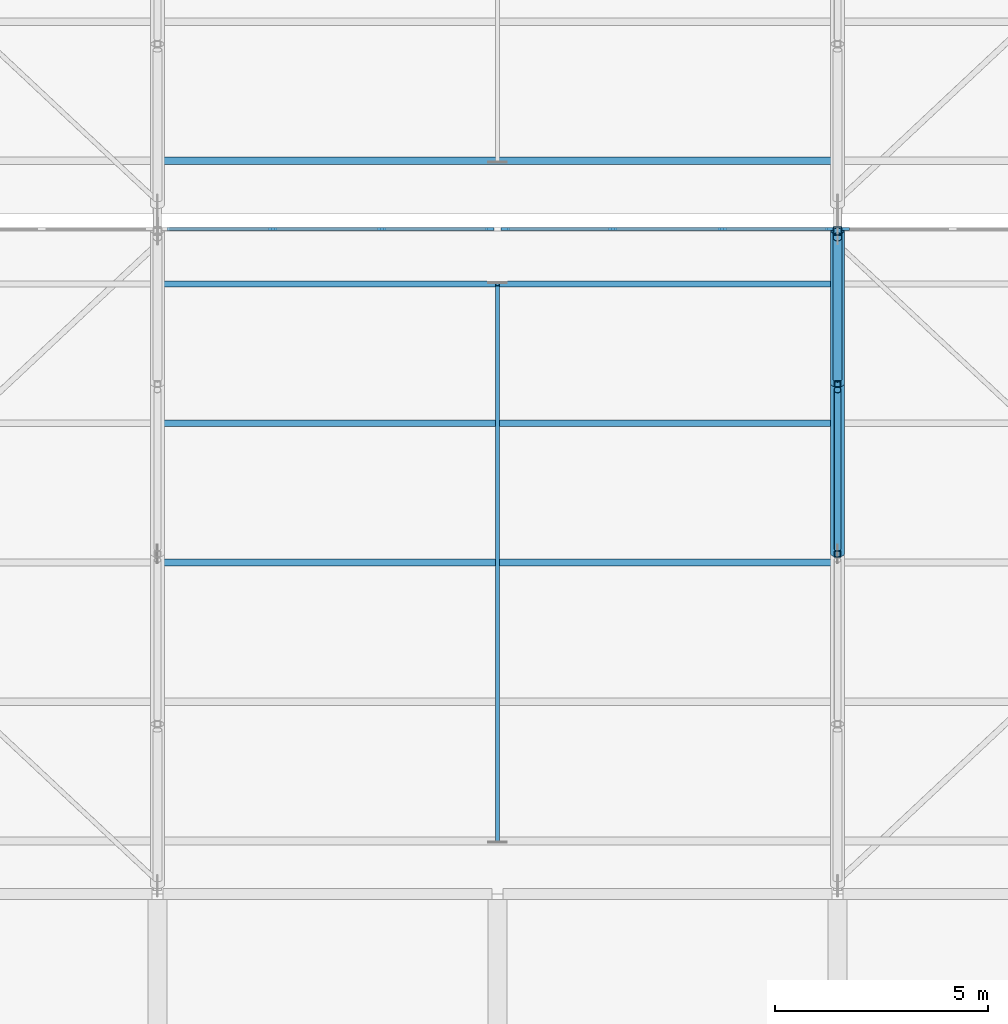
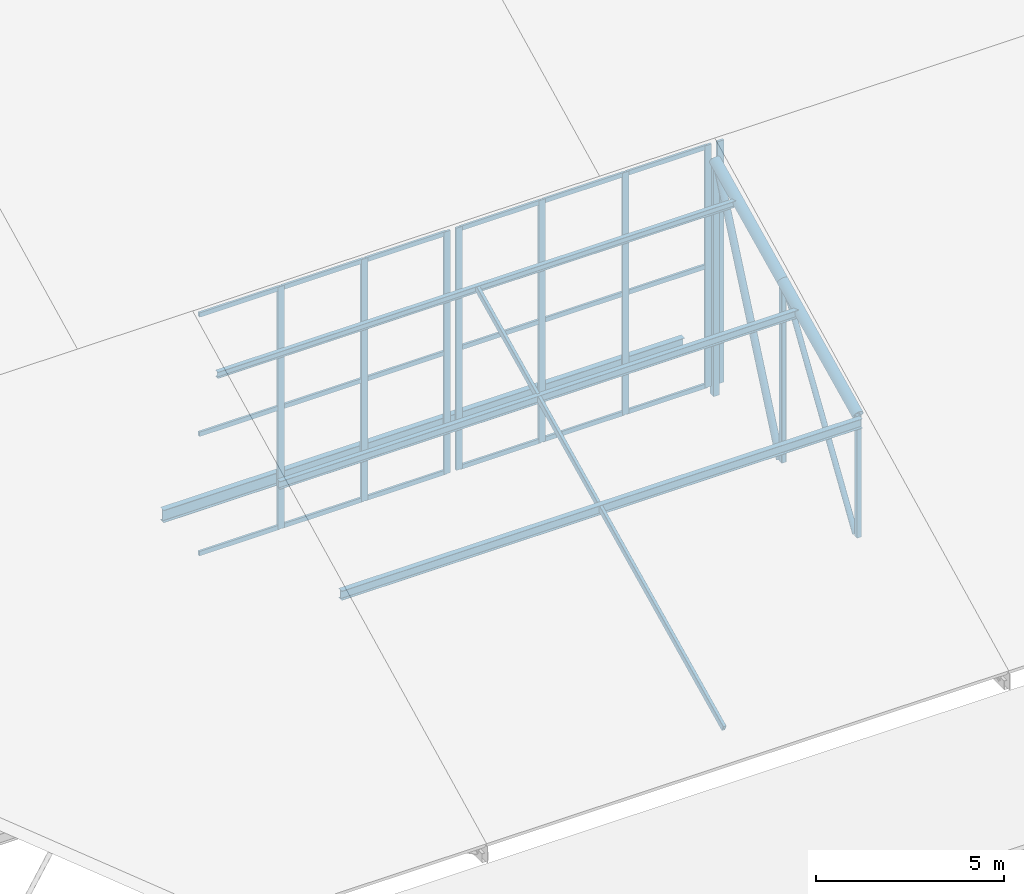
# One storey, part 82 of 137: 34 members, 4 beams, 3 elements without a shape of their own.
"""IFC4 building model written with IfcOpenShell, lengths in metres."""

from ifc_helpers import new_model, si_unit, direction, frame, origin, origin_2d, place, context, subcontext, project, spatial, rectangle, hollow_rectangle, hollow_circle, i_section, extrude, material, layer, layer_set, material_profile, profile_set, type_object, element, aggregate, save


model = new_model("IFC4")

# Units and contexts
model_context = context("Model", 3, precision=1e-05, world=origin(), true_north=direction((0.0, 1.0)))
body_context = subcontext(model_context, "Body", "Model", "MODEL_VIEW")
ifc_project = project(units=[si_unit("LENGTHUNIT", "METRE"), si_unit("AREAUNIT", "SQUARE_METRE"), si_unit("VOLUMEUNIT", "CUBIC_METRE"), si_unit("PLANEANGLEUNIT", "RADIAN"), si_unit("MASSUNIT", "GRAM", prefix="KILO")], contexts=[model_context])

# Site, building, storey
site_placement = place(None, origin())
site = spatial("IfcSite", under=ifc_project, at=site_placement, CompositionType="ELEMENT")
building_placement = place(site_placement, origin())
building = spatial("IfcBuilding", under=site, at=building_placement, Name="Jelvoka-Kovrelna Polytechnic", CompositionType="ELEMENT")
storey_placement = place(building_placement, frame((0.0, 0.0, 9.60009765625)))
storey = spatial("IfcBuildingStorey", under=building, at=storey_placement, Name="L03", CompositionType="ELEMENT", Elevation=9.60009765625)

# Members
ifc_material_1 = material(Name="Structural steel S355J2H", Category="steel")
ifc_material_profile_1 = material_profile(ifc_material_1, hollow_circle(Radius=0.084228515625, WallThickness=0.008056640625, at=origin_2d()), Name="168.3x8.0 CHS")
ifc_profile_set_1 = profile_set([ifc_material_profile_1], Name="Structural steel S355J2H")
member_type_1 = type_object("IfcMemberType", Name="Member_Brace_CHS168", PredefinedType="BRACE", material=ifc_profile_set_1)
member_1_placement = place(storey_placement, frame((184.0, 96.139892578125, 0.14990234375), z_axis=(0.0, 0.5415746521, 0.840652660855), x_axis=(-1.0, 0.0, 0.0)))
element("IfcMember", 1, at=member_1_placement, inside=storey, type_object=member_type_1, Name="Sawtooth truss 7 diagonal web 1.3", PredefinedType="BRACE", context=body_context, shape_type="SweptSolid", body=[
    extrude(hollow_circle(Radius=0.084228515625, WallThickness=0.008056640625, at=origin_2d()), origin(), (0.0, 0.0, 1.0), 6.869140625),
])
ifc_material_2 = material(Name="Structural steel S355J2H", Category="steel")
ifc_material_profile_2 = material_profile(ifc_material_2, hollow_circle(Radius=0.109619140625, WallThickness=0.008056640625, at=origin_2d()), Name="219.1x8.0 CHS")
ifc_profile_set_2 = profile_set([ifc_material_profile_2], Name="Structural steel S355J2H")
member_type_2 = type_object("IfcMemberType", Name="Member_Brace_CHS219", PredefinedType="BRACE", material=ifc_profile_set_2)
member_2_placement = place(storey_placement, frame((184.0, 100.139892578125, 0.14990234375), z_axis=(0.0, 0.404336237521, 0.914610412705), x_axis=(-1.0, 0.0, 0.0)))
element("IfcMember", 2, at=member_2_placement, inside=storey, type_object=member_type_2, Name="Sawtooth truss 7 diagonal web 1.4", PredefinedType="BRACE", context=body_context, shape_type="SweptSolid", body=[
    extrude(hollow_circle(Radius=0.109619140625, WallThickness=0.008056640625, at=origin_2d()), origin(), (0.0, 0.0, 1.0), 8.211181640625),
])
ifc_material_3 = material(Name="Structural steel S355J2H", Category="steel")
ifc_material_profile_3 = material_profile(ifc_material_3, hollow_circle(Radius=0.161865234375, WallThickness=0.010009765625, at=origin_2d()), Name="323.9x10.0 CHS")
ifc_profile_set_3 = profile_set([ifc_material_profile_3], Name="Structural steel S355J2H")
member_type_3 = type_object("IfcMemberType", Name="Member_Chord_CHS324", PredefinedType="CHORD", material=ifc_profile_set_3)
member_3_placement = place(storey_placement, frame((184.0, 96.0, 4.076416015625), z_axis=(0.0, 0.900820911068, 0.434190840741), x_axis=(-1.0, 0.0, 0.0)))
element("IfcMember", 3, at=member_3_placement, inside=storey, type_object=member_type_3, Name="Sawtooth truss 7 top chord 1.3", PredefinedType="CHORD", context=body_context, shape_type="SweptSolid", body=[
    extrude(hollow_circle(Radius=0.161865234375, WallThickness=0.010009765625, at=origin_2d()), origin(), (0.0, 0.0, 1.0), 4.4404296875),
])
member_4_placement = place(storey_placement, frame((184.0, 100.0, 6.00439453125), z_axis=(0.0, 0.900784896778, 0.434265552095), x_axis=(-1.0, 0.0, 0.0)))
element("IfcMember", 4, at=member_4_placement, inside=storey, type_object=member_type_3, Name="Sawtooth truss 7 top chord 1.4", PredefinedType="CHORD", context=body_context, shape_type="SweptSolid", body=[
    extrude(hollow_circle(Radius=0.161865234375, WallThickness=0.010009765625, at=origin_2d()), origin(), (0.0, 0.0, 1.0), 3.99658203125),
])
ifc_material_4 = material(Name="Structural steel S355J2H", Category="steel")
ifc_material_profile_4 = material_profile(ifc_material_4, hollow_rectangle(XDim=0.14990234375, YDim=0.14990234375, WallThickness=0.008056640625, InnerFilletRadius=0.008056640625, OuterFilletRadius=0.011962890625, at=origin_2d()), Name="150x150x8.0 SHS")
ifc_profile_set_4 = profile_set([ifc_material_profile_4], Name="Structural steel S355J2H")
member_type_4 = type_object("IfcMemberType", Name="Member_Post_SHS150", PredefinedType="POST", material=ifc_profile_set_4)
member_5_placement = place(storey_placement, frame((184.0, 96.0, 0.14990234375), z_axis=(0.0, 0.0, 1.0), x_axis=(1.0, 0.0, 0.0)))
element("IfcMember", 5, at=member_5_placement, inside=storey, type_object=member_type_4, Name="Sawtooth truss 7 web post 1.3", PredefinedType="POST", context=body_context, shape_type="SweptSolid", body=[
    extrude(hollow_rectangle(XDim=0.14990234375, YDim=0.14990234375, WallThickness=0.008056640625, InnerFilletRadius=0.008056640625, OuterFilletRadius=0.011962890625, at=origin_2d()), origin(), (0.0, 0.0, 1.0), 3.926513671875),
])
member_6_placement = place(storey_placement, frame((184.0, 100.0, 0.14990234375), z_axis=(0.0, 0.0, 1.0), x_axis=(1.0, 0.0, 0.0)))
element("IfcMember", 6, at=member_6_placement, inside=storey, type_object=member_type_4, Name="Sawtooth truss 7 web post 1.4", PredefinedType="POST", context=body_context, shape_type="SweptSolid", body=[
    extrude(hollow_rectangle(XDim=0.14990234375, YDim=0.14990234375, WallThickness=0.008056640625, InnerFilletRadius=0.008056640625, OuterFilletRadius=0.011962890625, at=origin_2d()), origin(), (0.0, 0.0, 1.0), 5.8544921875),
])
ifc_material_5 = material(Name="Structural steel S355J2H", Category="steel")
ifc_material_profile_5 = material_profile(ifc_material_5, hollow_rectangle(XDim=0.199951171875, YDim=0.199951171875, WallThickness=0.010009765625, InnerFilletRadius=0.010009765625, OuterFilletRadius=0.014892578125, at=origin_2d()), Name="200x200x10.0 SHS")
ifc_profile_set_5 = profile_set([ifc_material_profile_5], Name="Structural steel S355J2H")
member_type_5 = type_object("IfcMemberType", Name="Member_Post_SHS200", PredefinedType="POST", material=ifc_profile_set_5)
member_7_placement = place(storey_placement, frame((184.0, 103.60009765625, 0.14990234375), z_axis=(0.0, 0.0, 1.0), x_axis=(1.0, 0.0, 0.0)))
element("IfcMember", 7, at=member_7_placement, inside=storey, type_object=member_type_5, Name="Sawtooth truss 7 web post 1.5", PredefinedType="POST", context=body_context, shape_type="SweptSolid", body=[
    extrude(hollow_rectangle(XDim=0.199951171875, YDim=0.199951171875, WallThickness=0.010009765625, InnerFilletRadius=0.010009765625, OuterFilletRadius=0.014892578125, at=origin_2d()), origin(), (0.0, 0.0, 1.0), 7.590087890625),
])
ifc_material_6 = material(Name="Structural steel S355J2H", Category="steel")
ifc_material_profile_6 = material_profile(ifc_material_6, hollow_rectangle(XDim=0.10009765625, YDim=0.199951171875, WallThickness=0.008056640625, InnerFilletRadius=0.008056640625, OuterFilletRadius=0.011962890625, at=origin_2d()), Name="200x100x8.0 RHS")
ifc_profile_set_6 = profile_set([ifc_material_profile_6], Name="Structural steel S355J2H")
member_type_6 = type_object("IfcMemberType", Name="Member_Rafter_RHS200", PredefinedType="RAFTER", material=ifc_profile_set_6)
member_8_placement = place(storey_placement, frame((176.0, 89.248046875, 0.821533203125), z_axis=(0.0, 0.900805023058, 0.434223802243), x_axis=(-1.0, 0.0, 0.0)))
element("IfcMember", 8, at=member_8_placement, inside=storey, type_object=member_type_6, Name="Sawtooth mid-bay secondary rafter 6.1", PredefinedType="RAFTER", context=body_context, shape_type="SweptSolid", body=[
    extrude(hollow_rectangle(XDim=0.10009765625, YDim=0.199951171875, WallThickness=0.008056640625, InnerFilletRadius=0.008056640625, OuterFilletRadius=0.011962890625, at=origin_2d()), origin(), (0.0, 0.0, 1.0), 14.546875),
])

# Curtain wall, members
ifc_material_7 = material(Name="Anodised aluminium 6063-T6", Category="aluminium")
ifc_layer = layer(ifc_material_7, 0.199951171875)
ifc_layer_set = layer_set([ifc_layer], Name="Anodised aluminium 6063-T6")
curtain_wall_type = type_object("IfcCurtainWallType", Name="CW_Clerestory", PredefinedType="NOTDEFINED", material=ifc_layer_set)
curtain_wall_1_placement = place(storey_placement, origin())
curtain_wall_1 = element("IfcCurtainWall", 9, at=curtain_wall_1_placement, inside=storey, type_object=curtain_wall_type, Name="L03 glazed curtain wall 203", PredefinedType="NOTDEFINED")
ifc_material_8 = material(Name="Anodised aluminium 6063-T6", Category="aluminium")
ifc_material_profile_7 = material_profile(ifc_material_8, rectangle(XDim=0.070068359375, YDim=0.199951171875, at=origin_2d()), Name="ALU 70x200")
ifc_profile_set_7 = profile_set([ifc_material_profile_7], Name="Anodised aluminium 6063-T6")
member_type_7 = type_object("IfcMemberType", Name="Mullion_M-03", PredefinedType="MULLION", material=ifc_profile_set_7)
member_9_placement = place(storey_placement, frame((170.716552734375, 103.64990234375, 0.425048828125), z_axis=(0.0, 0.0, 1.0), x_axis=(0.0, 1.0, 0.0)))
member_9 = element("IfcMember", 10, at=member_9_placement, type_object=member_type_7, Name="CW-03 mullion 2", PredefinedType="MULLION", context=body_context, shape_type="SweptSolid", body=[
    extrude(rectangle(XDim=0.070068359375, YDim=0.199951171875, at=origin_2d()), origin(), (0.0, 0.0, 1.0), 7.85009765625),
])
member_10_placement = place(storey_placement, frame((173.283447265625, 103.64990234375, 0.425048828125), z_axis=(0.0, 0.0, 1.0), x_axis=(0.0, 1.0, 0.0)))
member_10 = element("IfcMember", 11, at=member_10_placement, type_object=member_type_7, Name="CW-03 mullion 3", PredefinedType="MULLION", context=body_context, shape_type="SweptSolid", body=[
    extrude(rectangle(XDim=0.070068359375, YDim=0.199951171875, at=origin_2d()), origin(), (0.0, 0.0, 1.0), 7.85009765625),
])
member_11_placement = place(storey_placement, frame((175.81494140625, 103.64990234375, 0.425048828125), z_axis=(0.0, 0.0, 1.0), x_axis=(0.0, 1.0, 0.0)))
member_11 = element("IfcMember", 12, at=member_11_placement, type_object=member_type_7, Name="CW-03 mullion 4", PredefinedType="MULLION", context=body_context, shape_type="SweptSolid", body=[
    extrude(rectangle(XDim=0.070068359375, YDim=0.199951171875, at=origin_2d()), origin(), (0.0, 0.0, 1.0), 7.85009765625),
])

curtain_wall_2_placement = place(storey_placement, origin())
curtain_wall_2 = element("IfcCurtainWall", 13, at=curtain_wall_2_placement, inside=storey, type_object=curtain_wall_type, Name="L03 glazed curtain wall 205", PredefinedType="NOTDEFINED")
member_12_placement = place(storey_placement, frame((176.18505859375, 103.64990234375, 0.425048828125), z_axis=(0.0, 0.0, 1.0), x_axis=(0.0, 1.0, 0.0)))
member_12 = element("IfcMember", 14, at=member_12_placement, type_object=member_type_7, Name="CW-03 mullion 1", PredefinedType="MULLION", context=body_context, shape_type="SweptSolid", body=[
    extrude(rectangle(XDim=0.070068359375, YDim=0.199951171875, at=origin_2d()), origin(), (0.0, 0.0, 1.0), 7.85009765625),
])
member_13_placement = place(storey_placement, frame((178.716552734375, 103.64990234375, 0.425048828125), z_axis=(0.0, 0.0, 1.0), x_axis=(0.0, 1.0, 0.0)))
member_13 = element("IfcMember", 15, at=member_13_placement, type_object=member_type_7, Name="CW-03 mullion 2", PredefinedType="MULLION", context=body_context, shape_type="SweptSolid", body=[
    extrude(rectangle(XDim=0.070068359375, YDim=0.199951171875, at=origin_2d()), origin(), (0.0, 0.0, 1.0), 7.85009765625),
])
member_14_placement = place(storey_placement, frame((181.283447265625, 103.64990234375, 0.425048828125), z_axis=(0.0, 0.0, 1.0), x_axis=(0.0, 1.0, 0.0)))
member_14 = element("IfcMember", 16, at=member_14_placement, type_object=member_type_7, Name="CW-03 mullion 3", PredefinedType="MULLION", context=body_context, shape_type="SweptSolid", body=[
    extrude(rectangle(XDim=0.070068359375, YDim=0.199951171875, at=origin_2d()), origin(), (0.0, 0.0, 1.0), 7.85009765625),
])
member_15_placement = place(storey_placement, frame((183.81494140625, 103.64990234375, 0.425048828125), z_axis=(0.0, 0.0, 1.0), x_axis=(0.0, 1.0, 0.0)))
member_15 = element("IfcMember", 17, at=member_15_placement, type_object=member_type_7, Name="CW-03 mullion 4", PredefinedType="MULLION", context=body_context, shape_type="SweptSolid", body=[
    extrude(rectangle(XDim=0.070068359375, YDim=0.199951171875, at=origin_2d()), origin(), (0.0, 0.0, 1.0), 7.85009765625),
])

# Curtain wall, member
curtain_wall_3_placement = place(storey_placement, origin())
curtain_wall_3 = element("IfcCurtainWall", 18, at=curtain_wall_3_placement, inside=storey, type_object=curtain_wall_type, Name="L03 glazed curtain wall 207", PredefinedType="NOTDEFINED")
member_16_placement = place(storey_placement, frame((184.18505859375, 103.64990234375, 0.425048828125), z_axis=(0.0, 0.0, 1.0), x_axis=(0.0, 1.0, 0.0)))
member_16 = element("IfcMember", 19, at=member_16_placement, type_object=member_type_7, Name="CW-03 mullion 1", PredefinedType="MULLION", context=body_context, shape_type="SweptSolid", body=[
    extrude(rectangle(XDim=0.070068359375, YDim=0.199951171875, at=origin_2d()), origin(), (0.0, 0.0, 1.0), 7.85009765625),
])
aggregate(curtain_wall_3, [member_16])

# Beams
ifc_material_9 = material(Name="Structural steel S355JR", Category="steel")
ifc_material_profile_8 = material_profile(ifc_material_9, i_section(OverallWidth=0.13330078125, OverallDepth=0.203125, WebThickness=0.005615234375, FlangeThickness=0.0078125, FilletRadius=0.007568359375, at=origin_2d()), Name="203x133x25 UB")
ifc_profile_set_8 = profile_set([ifc_material_profile_8], Name="Structural steel S355JR")
beam_type_1 = type_object("IfcBeamType", Name="Purlin_Steel_UB203", PredefinedType="JOIST", material=ifc_profile_set_8)
beam_1_placement = place(storey_placement, frame((168.02001953125, 102.35205078125, 7.13818359375), z_axis=(1.0, 0.0, 0.0), x_axis=(0.0, 1.0, 0.0)))
element("IfcBeam", 20, at=beam_1_placement, inside=storey, type_object=beam_type_1, Name="Sawtooth roof purlin 055", PredefinedType="JOIST", context=body_context, shape_type="SweptSolid", body=[
    extrude(i_section(OverallWidth=0.13330078125, OverallDepth=0.203125, WebThickness=0.005615234375, FlangeThickness=0.0078125, FilletRadius=0.007568359375, at=origin_2d()), origin(), (0.0, 0.0, 1.0), 15.9599609375),
])
ifc_material_10 = material(Name="Structural steel S355JR", Category="steel")
ifc_material_profile_9 = material_profile(ifc_material_10, i_section(OverallWidth=0.14599609375, OverallDepth=0.25146484375, WebThickness=0.006103515625, FlangeThickness=0.008544921875, FilletRadius=0.007568359375, at=origin_2d()), Name="254x146x31 UB")
ifc_profile_set_9 = profile_set([ifc_material_profile_9], Name="Structural steel S355JR")
beam_type_2 = type_object("IfcBeamType", Name="Purlin_Steel_UB254", PredefinedType="JOIST", material=ifc_profile_set_9)
beam_2_placement = place(storey_placement, frame((168.02001953125, 99.075927734375, 5.55908203125), z_axis=(1.0, 0.0, 0.0), x_axis=(0.0, 1.0, 0.0)))
element("IfcBeam", 21, at=beam_2_placement, inside=storey, type_object=beam_type_2, Name="Sawtooth roof purlin 054", PredefinedType="JOIST", context=body_context, shape_type="SweptSolid", body=[
    extrude(i_section(OverallWidth=0.14599609375, OverallDepth=0.25146484375, WebThickness=0.006103515625, FlangeThickness=0.008544921875, FilletRadius=0.007568359375, at=origin_2d()), origin(), (0.0, 0.0, 1.0), 15.9599609375),
])
ifc_material_11 = material(Name="Structural steel S355JR", Category="steel")
ifc_material_profile_10 = material_profile(ifc_material_11, i_section(OverallWidth=0.1650390625, OverallDepth=0.303466796875, WebThickness=0.006103515625, FlangeThickness=0.01025390625, FilletRadius=0.0087890625, at=origin_2d()), Name="305x165x40 UB")
ifc_profile_set_10 = profile_set([ifc_material_profile_10], Name="Structural steel S355JR")
beam_type_3 = type_object("IfcBeamType", Name="Purlin_Steel_UB305", PredefinedType="JOIST", material=ifc_profile_set_10)
beam_3_placement = place(storey_placement, frame((168.02001953125, 95.800048828125, 3.97998046875), z_axis=(1.0, 0.0, 0.0), x_axis=(0.0, 1.0, 0.0)))
element("IfcBeam", 22, at=beam_3_placement, inside=storey, type_object=beam_type_3, Name="Sawtooth roof purlin 053", PredefinedType="JOIST", context=body_context, shape_type="SweptSolid", body=[
    extrude(i_section(OverallWidth=0.1650390625, OverallDepth=0.303466796875, WebThickness=0.006103515625, FlangeThickness=0.01025390625, FilletRadius=0.0087890625, at=origin_2d()), origin(), (0.0, 0.0, 1.0), 15.9599609375),
])
ifc_material_12 = material(Name="Structural steel S355JR", Category="steel")
ifc_material_profile_11 = material_profile(ifc_material_12, i_section(OverallWidth=0.177978515625, OverallDepth=0.406494140625, WebThickness=0.0078125, FlangeThickness=0.0126953125, FilletRadius=0.01025390625, at=origin_2d()), Name="406x178x60 UB")
ifc_profile_set_11 = profile_set([ifc_material_profile_11], Name="Structural steel S355JR")
beam_type_4 = type_object("IfcBeamType", Name="Purlin_Steel_UB406", PredefinedType="JOIST", material=ifc_profile_set_11)
beam_4_placement = place(storey_placement, frame((168.02001953125, 105.248046875, 0.821533203125), z_axis=(1.0, 0.0, 0.0), x_axis=(0.0, 1.0, 0.0)))
element("IfcBeam", 23, at=beam_4_placement, inside=storey, type_object=beam_type_4, Name="Sawtooth roof purlin 056", PredefinedType="JOIST", context=body_context, shape_type="SweptSolid", body=[
    extrude(i_section(OverallWidth=0.177978515625, OverallDepth=0.406494140625, WebThickness=0.0078125, FlangeThickness=0.0126953125, FilletRadius=0.01025390625, at=origin_2d()), origin(), (0.0, 0.0, 1.0), 15.9599609375),
])

# Member
ifc_material_13 = material(Name="Anodised aluminium 6063-T6", Category="aluminium")
ifc_material_profile_12 = material_profile(ifc_material_13, rectangle(XDim=0.070068359375, YDim=0.14501953125, at=origin_2d()), Name="ALU 70x145")
ifc_profile_set_12 = profile_set([ifc_material_profile_12], Name="Anodised aluminium 6063-T6")
member_type_8 = type_object("IfcMemberType", Name="Transom_T-03", PredefinedType="USERDEFINED", material=ifc_profile_set_12)
member_17_placement = place(storey_placement, frame((168.219970703125, 103.64990234375, 0.48486328125), z_axis=(1.0, 0.0, 0.0), x_axis=(0.0, 1.0, 0.0)))
member_17 = element("IfcMember", 24, at=member_17_placement, type_object=member_type_8, Name="CW-03 transom 1.1", ObjectType="TRANSOM", PredefinedType="USERDEFINED", context=body_context, shape_type="SweptSolid", body=[
    extrude(rectangle(XDim=0.070068359375, YDim=0.14501953125, at=origin_2d()), origin(), (0.0, 0.0, 1.0), 2.461669921875),
])

member_18_placement = place(storey_placement, frame((168.219970703125, 103.64990234375, 4.349853515625), z_axis=(1.0, 0.0, 0.0), x_axis=(0.0, 1.0, 0.0)))
member_18 = element("IfcMember", 25, at=member_18_placement, type_object=member_type_8, Name="CW-03 transom 1.2", ObjectType="TRANSOM", PredefinedType="USERDEFINED", context=body_context, shape_type="SweptSolid", body=[
    extrude(rectangle(XDim=0.070068359375, YDim=0.14501953125, at=origin_2d()), origin(), (0.0, 0.0, 1.0), 2.461669921875),
])

member_19_placement = place(storey_placement, frame((168.219970703125, 103.64990234375, 8.21484375), z_axis=(1.0, 0.0, 0.0), x_axis=(0.0, 1.0, 0.0)))
member_19 = element("IfcMember", 26, at=member_19_placement, type_object=member_type_8, Name="CW-03 transom 1.3", ObjectType="TRANSOM", PredefinedType="USERDEFINED", context=body_context, shape_type="SweptSolid", body=[
    extrude(rectangle(XDim=0.070068359375, YDim=0.14501953125, at=origin_2d()), origin(), (0.0, 0.0, 1.0), 2.461669921875),
])

member_20_placement = place(storey_placement, frame((170.751708984375, 103.64990234375, 0.48486328125), z_axis=(1.0, 0.0, 0.0), x_axis=(0.0, 1.0, 0.0)))
member_20 = element("IfcMember", 27, at=member_20_placement, type_object=member_type_8, Name="CW-03 transom 2.1", ObjectType="TRANSOM", PredefinedType="USERDEFINED", context=body_context, shape_type="SweptSolid", body=[
    extrude(rectangle(XDim=0.070068359375, YDim=0.14501953125, at=origin_2d()), origin(), (0.0, 0.0, 1.0), 2.49658203125),
])

member_21_placement = place(storey_placement, frame((170.751708984375, 103.64990234375, 4.349853515625), z_axis=(1.0, 0.0, 0.0), x_axis=(0.0, 1.0, 0.0)))
member_21 = element("IfcMember", 28, at=member_21_placement, type_object=member_type_8, Name="CW-03 transom 2.2", ObjectType="TRANSOM", PredefinedType="USERDEFINED", context=body_context, shape_type="SweptSolid", body=[
    extrude(rectangle(XDim=0.070068359375, YDim=0.14501953125, at=origin_2d()), origin(), (0.0, 0.0, 1.0), 2.49658203125),
])

member_22_placement = place(storey_placement, frame((170.751708984375, 103.64990234375, 8.21484375), z_axis=(1.0, 0.0, 0.0), x_axis=(0.0, 1.0, 0.0)))
member_22 = element("IfcMember", 29, at=member_22_placement, type_object=member_type_8, Name="CW-03 transom 2.3", ObjectType="TRANSOM", PredefinedType="USERDEFINED", context=body_context, shape_type="SweptSolid", body=[
    extrude(rectangle(XDim=0.070068359375, YDim=0.14501953125, at=origin_2d()), origin(), (0.0, 0.0, 1.0), 2.49658203125),
])

member_23_placement = place(storey_placement, frame((173.318359375, 103.64990234375, 0.48486328125), z_axis=(1.0, 0.0, 0.0), x_axis=(0.0, 1.0, 0.0)))
member_23 = element("IfcMember", 30, at=member_23_placement, type_object=member_type_8, Name="CW-03 transom 3.1", ObjectType="TRANSOM", PredefinedType="USERDEFINED", context=body_context, shape_type="SweptSolid", body=[
    extrude(rectangle(XDim=0.070068359375, YDim=0.14501953125, at=origin_2d()), origin(), (0.0, 0.0, 1.0), 2.461669921875),
])

member_24_placement = place(storey_placement, frame((173.318359375, 103.64990234375, 4.349853515625), z_axis=(1.0, 0.0, 0.0), x_axis=(0.0, 1.0, 0.0)))
member_24 = element("IfcMember", 31, at=member_24_placement, type_object=member_type_8, Name="CW-03 transom 3.2", ObjectType="TRANSOM", PredefinedType="USERDEFINED", context=body_context, shape_type="SweptSolid", body=[
    extrude(rectangle(XDim=0.070068359375, YDim=0.14501953125, at=origin_2d()), origin(), (0.0, 0.0, 1.0), 2.461669921875),
])

member_25_placement = place(storey_placement, frame((173.318359375, 103.64990234375, 8.21484375), z_axis=(1.0, 0.0, 0.0), x_axis=(0.0, 1.0, 0.0)))
member_25 = element("IfcMember", 32, at=member_25_placement, type_object=member_type_8, Name="CW-03 transom 3.3", ObjectType="TRANSOM", PredefinedType="USERDEFINED", context=body_context, shape_type="SweptSolid", body=[
    extrude(rectangle(XDim=0.070068359375, YDim=0.14501953125, at=origin_2d()), origin(), (0.0, 0.0, 1.0), 2.461669921875),
])

aggregate(curtain_wall_1, [member_9, member_10, member_11, member_17, member_18, member_19, member_20, member_21, member_22, member_23, member_24, member_25])

member_26_placement = place(storey_placement, frame((176.219970703125, 103.64990234375, 0.48486328125), z_axis=(1.0, 0.0, 0.0), x_axis=(0.0, 1.0, 0.0)))
member_26 = element("IfcMember", 33, at=member_26_placement, type_object=member_type_8, Name="CW-03 transom 1.1", ObjectType="TRANSOM", PredefinedType="USERDEFINED", context=body_context, shape_type="SweptSolid", body=[
    extrude(rectangle(XDim=0.070068359375, YDim=0.14501953125, at=origin_2d()), origin(), (0.0, 0.0, 1.0), 2.461669921875),
])

member_27_placement = place(storey_placement, frame((176.219970703125, 103.64990234375, 4.349853515625), z_axis=(1.0, 0.0, 0.0), x_axis=(0.0, 1.0, 0.0)))
member_27 = element("IfcMember", 34, at=member_27_placement, type_object=member_type_8, Name="CW-03 transom 1.2", ObjectType="TRANSOM", PredefinedType="USERDEFINED", context=body_context, shape_type="SweptSolid", body=[
    extrude(rectangle(XDim=0.070068359375, YDim=0.14501953125, at=origin_2d()), origin(), (0.0, 0.0, 1.0), 2.461669921875),
])

member_28_placement = place(storey_placement, frame((176.219970703125, 103.64990234375, 8.21484375), z_axis=(1.0, 0.0, 0.0), x_axis=(0.0, 1.0, 0.0)))
member_28 = element("IfcMember", 35, at=member_28_placement, type_object=member_type_8, Name="CW-03 transom 1.3", ObjectType="TRANSOM", PredefinedType="USERDEFINED", context=body_context, shape_type="SweptSolid", body=[
    extrude(rectangle(XDim=0.070068359375, YDim=0.14501953125, at=origin_2d()), origin(), (0.0, 0.0, 1.0), 2.461669921875),
])

member_29_placement = place(storey_placement, frame((178.751708984375, 103.64990234375, 0.48486328125), z_axis=(1.0, 0.0, 0.0), x_axis=(0.0, 1.0, 0.0)))
member_29 = element("IfcMember", 36, at=member_29_placement, type_object=member_type_8, Name="CW-03 transom 2.1", ObjectType="TRANSOM", PredefinedType="USERDEFINED", context=body_context, shape_type="SweptSolid", body=[
    extrude(rectangle(XDim=0.070068359375, YDim=0.14501953125, at=origin_2d()), origin(), (0.0, 0.0, 1.0), 2.49658203125),
])

member_30_placement = place(storey_placement, frame((178.751708984375, 103.64990234375, 4.349853515625), z_axis=(1.0, 0.0, 0.0), x_axis=(0.0, 1.0, 0.0)))
member_30 = element("IfcMember", 37, at=member_30_placement, type_object=member_type_8, Name="CW-03 transom 2.2", ObjectType="TRANSOM", PredefinedType="USERDEFINED", context=body_context, shape_type="SweptSolid", body=[
    extrude(rectangle(XDim=0.070068359375, YDim=0.14501953125, at=origin_2d()), origin(), (0.0, 0.0, 1.0), 2.49658203125),
])

member_31_placement = place(storey_placement, frame((178.751708984375, 103.64990234375, 8.21484375), z_axis=(1.0, 0.0, 0.0), x_axis=(0.0, 1.0, 0.0)))
member_31 = element("IfcMember", 38, at=member_31_placement, type_object=member_type_8, Name="CW-03 transom 2.3", ObjectType="TRANSOM", PredefinedType="USERDEFINED", context=body_context, shape_type="SweptSolid", body=[
    extrude(rectangle(XDim=0.070068359375, YDim=0.14501953125, at=origin_2d()), origin(), (0.0, 0.0, 1.0), 2.49658203125),
])

member_32_placement = place(storey_placement, frame((181.318359375, 103.64990234375, 0.48486328125), z_axis=(1.0, 0.0, 0.0), x_axis=(0.0, 1.0, 0.0)))
member_32 = element("IfcMember", 39, at=member_32_placement, type_object=member_type_8, Name="CW-03 transom 3.1", ObjectType="TRANSOM", PredefinedType="USERDEFINED", context=body_context, shape_type="SweptSolid", body=[
    extrude(rectangle(XDim=0.070068359375, YDim=0.14501953125, at=origin_2d()), origin(), (0.0, 0.0, 1.0), 2.461669921875),
])

member_33_placement = place(storey_placement, frame((181.318359375, 103.64990234375, 4.349853515625), z_axis=(1.0, 0.0, 0.0), x_axis=(0.0, 1.0, 0.0)))
member_33 = element("IfcMember", 40, at=member_33_placement, type_object=member_type_8, Name="CW-03 transom 3.2", ObjectType="TRANSOM", PredefinedType="USERDEFINED", context=body_context, shape_type="SweptSolid", body=[
    extrude(rectangle(XDim=0.070068359375, YDim=0.14501953125, at=origin_2d()), origin(), (0.0, 0.0, 1.0), 2.461669921875),
])

member_34_placement = place(storey_placement, frame((181.318359375, 103.64990234375, 8.21484375), z_axis=(1.0, 0.0, 0.0), x_axis=(0.0, 1.0, 0.0)))
member_34 = element("IfcMember", 41, at=member_34_placement, type_object=member_type_8, Name="CW-03 transom 3.3", ObjectType="TRANSOM", PredefinedType="USERDEFINED", context=body_context, shape_type="SweptSolid", body=[
    extrude(rectangle(XDim=0.070068359375, YDim=0.14501953125, at=origin_2d()), origin(), (0.0, 0.0, 1.0), 2.461669921875),
])

aggregate(curtain_wall_2, [member_12, member_13, member_14, member_15, member_26, member_27, member_28, member_29, member_30, member_31, member_32, member_33, member_34])

save(model, "model.ifc")
